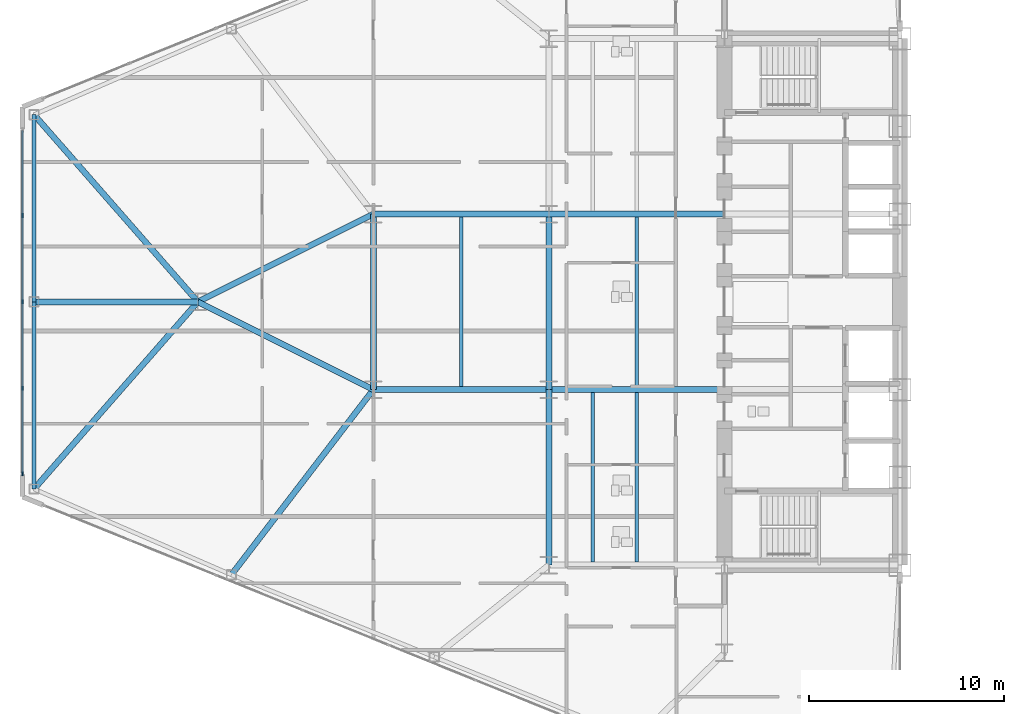
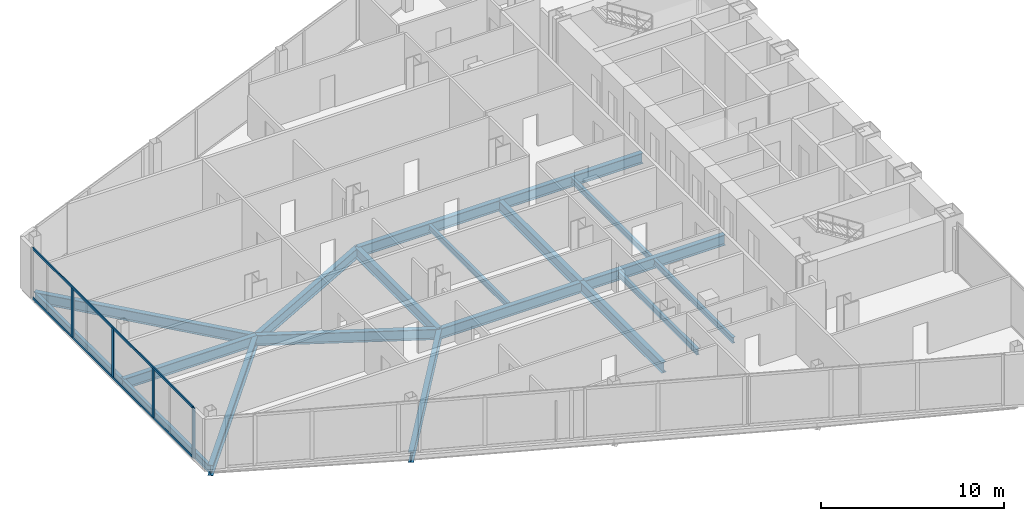
# One storey, part 4 of 25: 19 beams, 6 members, 1 element without a shape of its own.
"""IFC4 building model written with IfcOpenShell, lengths in metres."""

from ifc_helpers import new_model, si_unit, direction, frame, origin, origin_2d, place, context, subcontext, project, spatial, rectangle, i_section, extrude, source, transform, mapped, material, layer, layer_set, material_profile, profile_set, type_object, type_shapes, element, aggregate, save


model = new_model("IFC4")

# Units and contexts
model_context = context("Model", 3, precision=1e-05, world=origin(), true_north=direction((0.0, 1.0)))
body_context = subcontext(model_context, "Body", "Model", "MODEL_VIEW")
ifc_project = project(units=[si_unit("LENGTHUNIT", "METRE"), si_unit("AREAUNIT", "SQUARE_METRE"), si_unit("VOLUMEUNIT", "CUBIC_METRE"), si_unit("PLANEANGLEUNIT", "RADIAN"), si_unit("MASSUNIT", "GRAM", prefix="KILO")], contexts=[model_context])

# Site, building, storey
site_placement = place(None, origin())
site = spatial("IfcSite", under=ifc_project, at=site_placement, CompositionType="ELEMENT")
building_placement = place(site_placement, origin())
building = spatial("IfcBuilding", under=site, at=building_placement, Name="Seokmaru Belvedere", CompositionType="ELEMENT")
storey_placement = place(building_placement, frame((0.0, 0.0, 36.89990234375)))
storey = spatial("IfcBuildingStorey", under=building, at=storey_placement, Name="L09", CompositionType="ELEMENT", Elevation=36.89990234375)

# Beams
ifc_material_1 = material(Name="Steel SM355 (355 MPa)", Category="steel")
ifc_material_profile_1 = material_profile(ifc_material_1, i_section(OverallWidth=0.300048828125, OverallDepth=0.699951171875, WebThickness=0.012939453125, FlangeThickness=0.02392578125, at=origin_2d()), Name="H-700x300x13x24")
ifc_profile_set_1 = profile_set([ifc_material_profile_1], Name="Steel SM355 (355 MPa)")
beam_type_1 = type_object("IfcBeamType", Name="Primary Floor Girder H-700", PredefinedType="BEAM", material=ifc_profile_set_1)
shared_shape_1 = source(origin(), body_context, "Body", "SweptSolid", [
    extrude(i_section(OverallWidth=0.300048828125, OverallDepth=0.699951171875, WebThickness=0.012939453125, FlangeThickness=0.02392578125, at=origin_2d()), origin(), (0.0, 0.0, 1.0), 9.0),
])
for number, where, z_axis, x_axis, name in (
    (1, (-45.5, -13.5, -0.56982421875), (0.0, 1.0, 0.0), (-1.0, 0.0, 0.0), "L09 W Interior Grid Girder 1"),
    (2, (-45.5, -4.5, -0.56982421875), (0.0, 1.0, 0.0), (-1.0, 0.0, 0.0), "L09 W Interior Grid Girder 2"),
    (3, (-45.5, -4.5, -0.56982421875), (1.0, 0.0, 0.0), (0.0, 1.0, 0.0), "L09 W Wing Primary Girder 2"),
    (4, (-45.5, 4.5, -0.56982421875), (1.0, 0.0, 0.0), (0.0, 1.0, 0.0), "L09 W Wing Primary Girder 3"),
    (5, (-54.5, -4.5, -0.56982421875), (1.0, 0.0, 0.0), (0.0, 1.0, 0.0), "L09 W Outer Wing Girder 1"),
    (6, (-54.5, 4.5, -0.56982421875), (1.0, 0.0, 0.0), (0.0, 1.0, 0.0), "L09 W Outer Wing Girder 2"),
    (7, (-54.5, -4.5, -0.56982421875), (0.0, 1.0, 0.0), (-1.0, 0.0, 0.0), "L09 W Apex Frame Girder"),
):
    element("IfcBeam", number, at=place(storey_placement, frame(where, z_axis=z_axis, x_axis=x_axis)), inside=storey, type_object=beam_type_1, Name=name, PredefinedType="BEAM", context=body_context, shape_type="MappedRepresentation", body=[
        mapped(shared_shape_1, transform((0.0, 0.0, 0.0), scale=1.0)),
    ])
shared_shape_2 = source(origin(), body_context, "Body", "SweptSolid", [
    extrude(i_section(OverallWidth=0.300048828125, OverallDepth=0.699951171875, WebThickness=0.012939453125, FlangeThickness=0.02392578125, at=origin_2d()), origin(), (0.0, 0.0, 1.0), 10.062255859375),
])
for number, where, z_axis, x_axis, name in (
    (8, (-54.5, -4.5, -0.56982421875), (-0.894427191, 0.4472135955, 0.0), (-0.4472135955, -0.894427191, 0.0), "L09 W Apex Converging Girder 1"),
    (9, (-54.5, 4.5, -0.56982421875), (-0.894427191, -0.4472135955, 0.0), (0.4472135955, -0.894427191, 0.0), "L09 W Apex Converging Girder 2"),
):
    element("IfcBeam", number, at=place(storey_placement, frame(where, z_axis=z_axis, x_axis=x_axis)), inside=storey, type_object=beam_type_1, Name=name, PredefinedType="BEAM", context=body_context, shape_type="MappedRepresentation", body=[
        mapped(shared_shape_2, transform((0.0, 0.0, 0.0), scale=1.0)),
    ])
ifc_material_profile_2 = material_profile(ifc_material_1, i_section(OverallWidth=0.18505859375, OverallDepth=0.389892578125, WebThickness=0.008056640625, FlangeThickness=0.011962890625, at=origin_2d()), Name="H-390x185x8x12")
ifc_profile_set_2 = profile_set([ifc_material_profile_2], Name="Steel SM355 (355 MPa)")
beam_type_2 = type_object("IfcBeamType", Name="Secondary Floor Joist H-350", PredefinedType="JOIST", material=ifc_profile_set_2)
shared_shape_3 = source(origin(), body_context, "Body", "SweptSolid", [
    extrude(i_section(OverallWidth=0.18505859375, OverallDepth=0.389892578125, WebThickness=0.008056640625, FlangeThickness=0.011962890625, at=origin_2d()), origin(), (0.0, 0.0, 1.0), 8.68994140625),
])
type_shapes(beam_type_2, [shared_shape_3])
for number, where, z_axis, x_axis, name in (
    (10, (-43.25, -13.344970703125, -0.414794921875), (0.0, 1.0, 0.0), (-1.0, 0.0, 0.0), "L09 W Wing Inner Secondary Joist 1"),
    (11, (-41.0, -13.344970703125, -0.414794921875), (0.0, 1.0, 0.0), (-1.0, 0.0, 0.0), "L09 W Secondary Floor Joist 1"),
    (12, (-41.0, -4.344970703125, -0.414794921875), (0.0, 1.0, 0.0), (-1.0, 0.0, 0.0), "L09 W Secondary Floor Joist 2"),
    (13, (-50.0, -4.344970703125, -0.414794921875), (0.0, 1.0, 0.0), (-1.0, 0.0, 0.0), "L09 W Outer Bay Secondary Joist"),
):
    element("IfcBeam", number, at=place(storey_placement, frame(where, z_axis=z_axis, x_axis=x_axis)), inside=storey, type_object=beam_type_2, Name=name, PredefinedType="JOIST", context=body_context, shape_type="MappedRepresentation", body=[
        mapped(shared_shape_3, transform((0.0, 0.0, 0.0), scale=1.0)),
    ])
shared_shape_4 = source(origin(), body_context, "Body", "SweptSolid", [
    extrude(i_section(OverallWidth=0.300048828125, OverallDepth=0.699951171875, WebThickness=0.012939453125, FlangeThickness=0.02392578125, at=origin_2d()), origin(), (0.0, 0.0, 1.0), 12.7529296875),
])
for number, where, z_axis, x_axis, name in (
    (14, (-71.89990234375, -9.595703125, -0.56982421875), (0.658667231479, 0.752434368019, 0.0), (-0.752434368019, 0.658667231479, 0.0), "L09 W Apex Radial Floor Girder 1"),
    (15, (-71.89990234375, 9.595703125, -0.56982421875), (0.658667231479, -0.752434368019, 0.0), (0.752434368019, 0.658667231479, 0.0), "L09 W Apex Radial Floor Girder 2"),
):
    element("IfcBeam", number, at=place(storey_placement, frame(where, z_axis=z_axis, x_axis=x_axis)), inside=storey, type_object=beam_type_1, Name=name, PredefinedType="BEAM", context=body_context, shape_type="MappedRepresentation", body=[
        mapped(shared_shape_4, transform((0.0, 0.0, 0.0), scale=1.0)),
    ])
ifc_material_profile_3 = material_profile(ifc_material_1, i_section(OverallWidth=0.199951171875, OverallDepth=0.5, WebThickness=0.010009765625, FlangeThickness=0.01611328125, at=origin_2d()), Name="H-500x200x10x16")
ifc_profile_set_3 = profile_set([ifc_material_profile_3], Name="Steel SM355 (355 MPa)")
beam_type_3 = type_object("IfcBeamType", Name="Perimeter Spandrel Beam H-500", PredefinedType="SPANDREL", material=ifc_profile_set_3)
shared_shape_5 = source(origin(), body_context, "Body", "SweptSolid", [
    extrude(i_section(OverallWidth=0.199951171875, OverallDepth=0.5, WebThickness=0.010009765625, FlangeThickness=0.01611328125, at=origin_2d()), origin(), (0.0, 0.0, 1.0), 9.595703125),
])
type_shapes(beam_type_3, [shared_shape_5])
for number, where, z_axis, x_axis, name in (
    (16, (-71.89990234375, -9.595703125, -0.469970703125), (0.0, 1.0, 0.0), (-1.0, 0.0, 0.0), "L09 W Faceted Apex Spandrel S"),
    (17, (-71.89990234375, 0.0, -0.469970703125), (0.0, 1.0, 0.0), (-1.0, 0.0, 0.0), "L09 W Faceted Apex Spandrel N"),
):
    element("IfcBeam", number, at=place(storey_placement, frame(where, z_axis=z_axis, x_axis=x_axis)), inside=storey, type_object=beam_type_3, Name=name, PredefinedType="SPANDREL", context=body_context, shape_type="MappedRepresentation", body=[
        mapped(shared_shape_5, transform((0.0, 0.0, 0.0), scale=1.0)),
    ])
shared_shape_6 = source(origin(), body_context, "Body", "SweptSolid", [
    extrude(i_section(OverallWidth=0.300048828125, OverallDepth=0.699951171875, WebThickness=0.012939453125, FlangeThickness=0.02392578125, at=origin_2d()), origin(), (0.0, 0.0, 1.0), 11.96337890625),
])
beam_1_placement = place(storey_placement, frame((-61.779052734375, -13.994140625, -0.56982421875), z_axis=(0.608442682624, 0.793597821294, 0.0), x_axis=(-0.793597821294, 0.608442682624, 0.0)))
element("IfcBeam", 18, at=beam_1_placement, inside=storey, type_object=beam_type_1, Name="L09 W Flank Radial Floor Girder S-3", PredefinedType="BEAM", context=body_context, shape_type="MappedRepresentation", body=[
    mapped(shared_shape_6, transform((0.0, 0.0, 0.0), scale=1.0)),
])
shared_shape_7 = source(origin(), body_context, "Body", "SweptSolid", [
    extrude(i_section(OverallWidth=0.300048828125, OverallDepth=0.699951171875, WebThickness=0.012939453125, FlangeThickness=0.02392578125, at=origin_2d()), origin(), (0.0, 0.0, 1.0), 8.39990234375),
])
type_shapes(beam_type_1, [shared_shape_1, shared_shape_2, shared_shape_4, shared_shape_6, shared_shape_7])
beam_2_placement = place(storey_placement, frame((-71.89990234375, 0.0, -0.56982421875), z_axis=(1.0, 0.0, 0.0), x_axis=(0.0, 1.0, 0.0)))
element("IfcBeam", 19, at=beam_2_placement, inside=storey, type_object=beam_type_1, Name="L09 W Apex Center Radial Girder", PredefinedType="BEAM", context=body_context, shape_type="MappedRepresentation", body=[
    mapped(shared_shape_7, transform((0.0, 0.0, 0.0), scale=1.0)),
])

# Curtain wall, members
ifc_material_2 = material(Name="Bronze Triple Insulating Glass", Category="glass")
ifc_layer = layer(ifc_material_2, 0.2099609375)
ifc_layer_set = layer_set([ifc_layer], Name="Bronze Triple Insulating Glass")
curtain_wall_type = type_object("IfcCurtainWallType", Name="Low-Rise Faceted Crystal Curtain Wall System CW-2", PredefinedType="NOTDEFINED", material=ifc_layer_set)
curtain_wall_placement = place(storey_placement, origin())
curtain_wall = element("IfcCurtainWall", 20, at=curtain_wall_placement, inside=storey, type_object=curtain_wall_type, Name="L09 Curtain Wall WF4", PredefinedType="NOTDEFINED")
ifc_material_3 = material(Name="Anodised Bronze Aluminium", Category="aluminium")
ifc_material_profile_4 = material_profile(ifc_material_3, rectangle(XDim=0.074951171875, YDim=0.2099609375, at=origin_2d()), Name="CW-M-75x210")
ifc_profile_set_4 = profile_set([ifc_material_profile_4], Name="Anodised Bronze Aluminium")
member_type_1 = type_object("IfcMemberType", Name="Bronze Unitised Mullion 75x210", PredefinedType="MULLION", material=ifc_profile_set_4)
shared_shape_8 = source(origin(), body_context, "Body", "SweptSolid", [
    extrude(rectangle(XDim=0.074951171875, YDim=0.2099609375, at=origin_2d()), origin(), (0.0, 0.0, 1.0), 3.380126953125),
])
member_1_placement = place(storey_placement, frame((-72.5, -8.8125, 0.0), z_axis=(0.0, 0.0, 1.0), x_axis=(1.0, 0.0, 0.0)))
member_1 = element("IfcMember", 21, at=member_1_placement, type_object=member_type_1, Name="CW:L09:WF4 Mullion 5", PredefinedType="MULLION", context=body_context, shape_type="MappedRepresentation", body=[
    mapped(shared_shape_8, transform((0.0, 0.0, 0.0), scale=1.0)),
])
shared_shape_9 = source(origin(), body_context, "Body", "SweptSolid", [
    extrude(rectangle(XDim=0.074951171875, YDim=0.2099609375, at=origin_2d()), origin(), (0.0, 0.0, 1.0), 3.239990234375),
])
type_shapes(member_type_1, [shared_shape_8, shared_shape_9])
member_2_placement = place(storey_placement, frame((-72.5, 4.425048828125, 0.070068359375), z_axis=(0.0, 0.0, 1.0), x_axis=(1.0, 0.0, 0.0)))
member_2 = element("IfcMember", 22, at=member_2_placement, type_object=member_type_1, Name="CW:L09:WF4 Mullion 2", PredefinedType="MULLION", context=body_context, shape_type="MappedRepresentation", body=[
    mapped(shared_shape_9, transform((0.0, 0.0, 0.0), scale=1.0)),
])
member_3_placement = place(storey_placement, frame((-72.5, 0.0, 0.070068359375), z_axis=(0.0, 0.0, 1.0), x_axis=(1.0, 0.0, 0.0)))
member_3 = element("IfcMember", 23, at=member_3_placement, type_object=member_type_1, Name="CW:L09:WF4 Mullion 3", PredefinedType="MULLION", context=body_context, shape_type="MappedRepresentation", body=[
    mapped(shared_shape_9, transform((0.0, 0.0, 0.0), scale=1.0)),
])
member_4_placement = place(storey_placement, frame((-72.5, -4.425048828125, 0.070068359375), z_axis=(0.0, 0.0, 1.0), x_axis=(1.0, 0.0, 0.0)))
member_4 = element("IfcMember", 24, at=member_4_placement, type_object=member_type_1, Name="CW:L09:WF4 Mullion 4", PredefinedType="MULLION", context=body_context, shape_type="MappedRepresentation", body=[
    mapped(shared_shape_9, transform((0.0, 0.0, 0.0), scale=1.0)),
])
ifc_material_profile_5 = material_profile(ifc_material_3, rectangle(XDim=0.070068359375, YDim=0.1650390625, at=origin_2d()), Name="CW-T-70x165")
ifc_profile_set_5 = profile_set([ifc_material_profile_5], Name="Anodised Bronze Aluminium")
member_type_2 = type_object("IfcMemberType", Name="Bronze Unitised Transom 70x165", PredefinedType="USERDEFINED", material=ifc_profile_set_5)
shared_shape_10 = source(origin(), body_context, "Body", "SweptSolid", [
    extrude(rectangle(XDim=0.070068359375, YDim=0.1650390625, at=origin_2d()), origin(), (0.0, 0.0, 1.0), 17.5498046875),
])
type_shapes(member_type_2, [shared_shape_10])
member_5_placement = place(storey_placement, frame((-72.5, 8.77490234375, 0.03515625), z_axis=(0.0, -1.0, 0.0), x_axis=(1.0, 0.0, 0.0)))
member_5 = element("IfcMember", 25, at=member_5_placement, type_object=member_type_2, Name="CW:L09:WF4 Continuous Transom 1", ObjectType="TRANSOM", PredefinedType="USERDEFINED", context=body_context, shape_type="MappedRepresentation", body=[
    mapped(shared_shape_10, transform((0.0, 0.0, 0.0), scale=1.0)),
])
member_6_placement = place(storey_placement, frame((-72.5, 8.77490234375, 3.34521484375), z_axis=(0.0, -1.0, 0.0), x_axis=(1.0, 0.0, 0.0)))
member_6 = element("IfcMember", 26, at=member_6_placement, type_object=member_type_2, Name="CW:L09:WF4 Continuous Transom 2", ObjectType="TRANSOM", PredefinedType="USERDEFINED", context=body_context, shape_type="MappedRepresentation", body=[
    mapped(shared_shape_10, transform((0.0, 0.0, 0.0), scale=1.0)),
])
aggregate(curtain_wall, [member_2, member_3, member_4, member_1, member_5, member_6])

save(model, "model.ifc")
